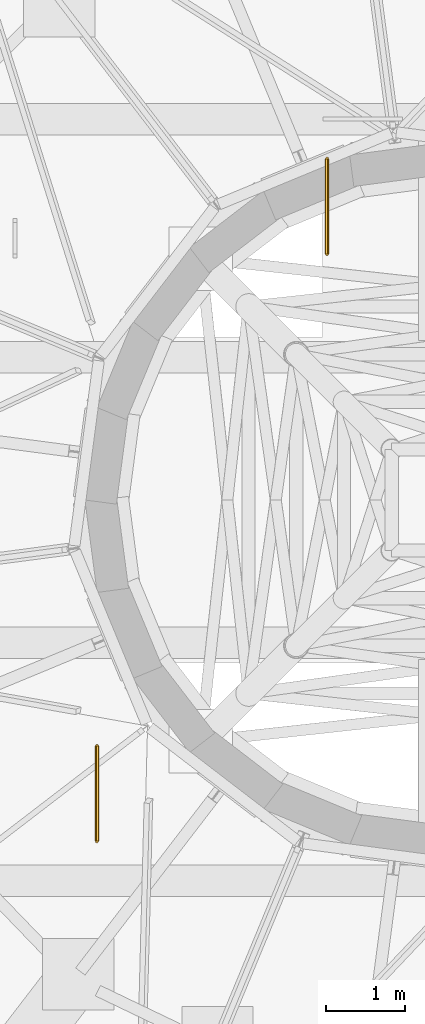
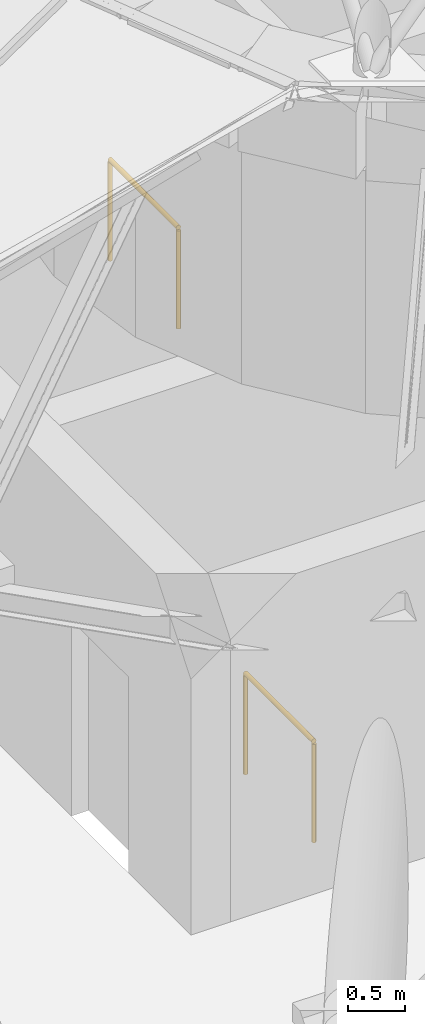
# One storey, part 10 of 10: 2 railings.
"""IFC4 building model written with IfcOpenShell, lengths in metres."""

from ifc_helpers import new_model, si_unit, direction, frame, origin, origin_2d, place, context, subcontext, project, spatial, circle, extrude, material, type_object, element, save


model = new_model("IFC4")

# Units and contexts
model_context = context("Model", 3, precision=1e-05, world=origin(), true_north=direction((0.0, 1.0)))
body_context = subcontext(model_context, "Body", "Model", "MODEL_VIEW")
ifc_project = project(units=[si_unit("LENGTHUNIT", "METRE"), si_unit("AREAUNIT", "SQUARE_METRE"), si_unit("VOLUMEUNIT", "CUBIC_METRE"), si_unit("PLANEANGLEUNIT", "RADIAN"), si_unit("MASSUNIT", "GRAM", prefix="KILO")], contexts=[model_context])

# Site, building, storey
site_placement = place(None, origin())
site = spatial("IfcSite", under=ifc_project, at=site_placement, CompositionType="ELEMENT")
building_placement = place(site_placement, origin())
building = spatial("IfcBuilding", under=site, at=building_placement, Name="Spindrift Exchange Tower", CompositionType="ELEMENT")
storey_placement = place(building_placement, frame((0.0, 0.0, 287.10009765625)))
storey = spatial("IfcBuildingStorey", under=building, at=storey_placement, Name="L71", CompositionType="ELEMENT", Elevation=287.10009765625)

# Railings
ifc_material = material(Name="Steel balustrade", Category="steel")
railing_type = type_object("IfcRailingType", Name="RL-STAIR-GUARD", PredefinedType="GUARDRAIL", material=ifc_material)
railing_1_placement = place(storey_placement, frame((50.550048828125, 52.300048828125, 0.0)))
element("IfcRailing", 1, at=railing_1_placement, inside=storey, type_object=railing_type, Name="L71 ST3 top well guard 1", PredefinedType="GUARDRAIL", context=body_context, shape_type="SweptSolid", body=[
    extrude(circle(Radius=0.02392578125, at=origin_2d()), frame((0.0, 0.0, 1.076171875), z_axis=(0.0, -1.0, 0.0), x_axis=(1.0, 0.0, 0.0)), (0.0, 0.0, 1.0), 1.199951171875),
    extrude(circle(Radius=0.02099609375, at=origin_2d()), origin(), (0.0, 0.0, 1.0), 1.052001953125),
    extrude(circle(Radius=0.02099609375, at=origin_2d()), frame((0.0, -1.199951171875, 0.0)), (0.0, 0.0, 1.0), 1.052001953125),
])
railing_2_placement = place(storey_placement, frame((47.64990234375, 43.699951171875, 0.0)))
element("IfcRailing", 2, at=railing_2_placement, inside=storey, type_object=railing_type, Name="L71 ST4 top well guard 1", PredefinedType="GUARDRAIL", context=body_context, shape_type="SweptSolid", body=[
    extrude(circle(Radius=0.02392578125, at=origin_2d()), frame((0.0, 0.0, 1.076171875), z_axis=(0.0, 1.0, 0.0), x_axis=(-1.0, 0.0, 0.0)), (0.0, 0.0, 1.0), 1.199951171875),
    extrude(circle(Radius=0.02099609375, at=origin_2d()), origin(), (0.0, 0.0, 1.0), 1.052001953125),
    extrude(circle(Radius=0.02099609375, at=origin_2d()), frame((0.0, 1.199951171875, 0.0)), (0.0, 0.0, 1.0), 1.052001953125),
])

save(model, "model.ifc")
